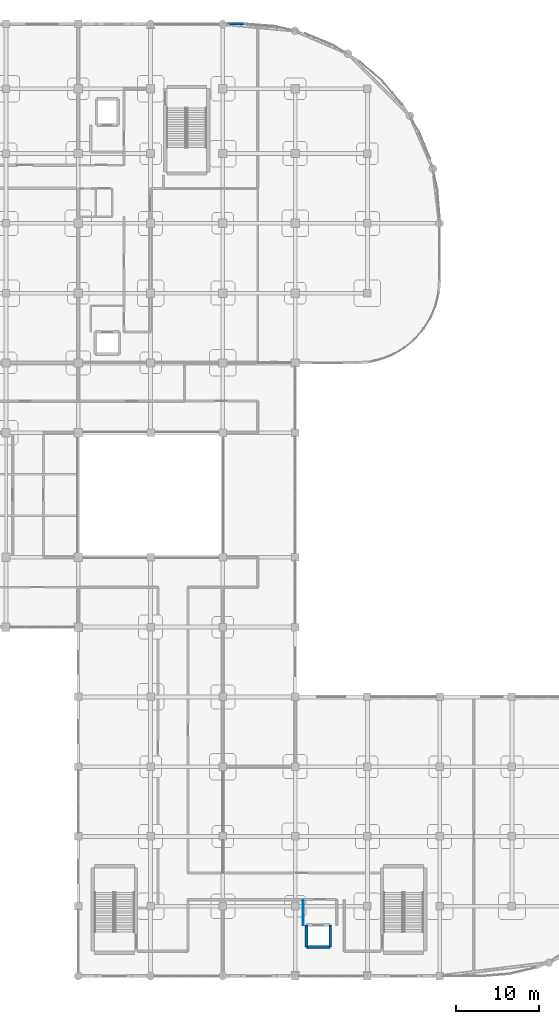
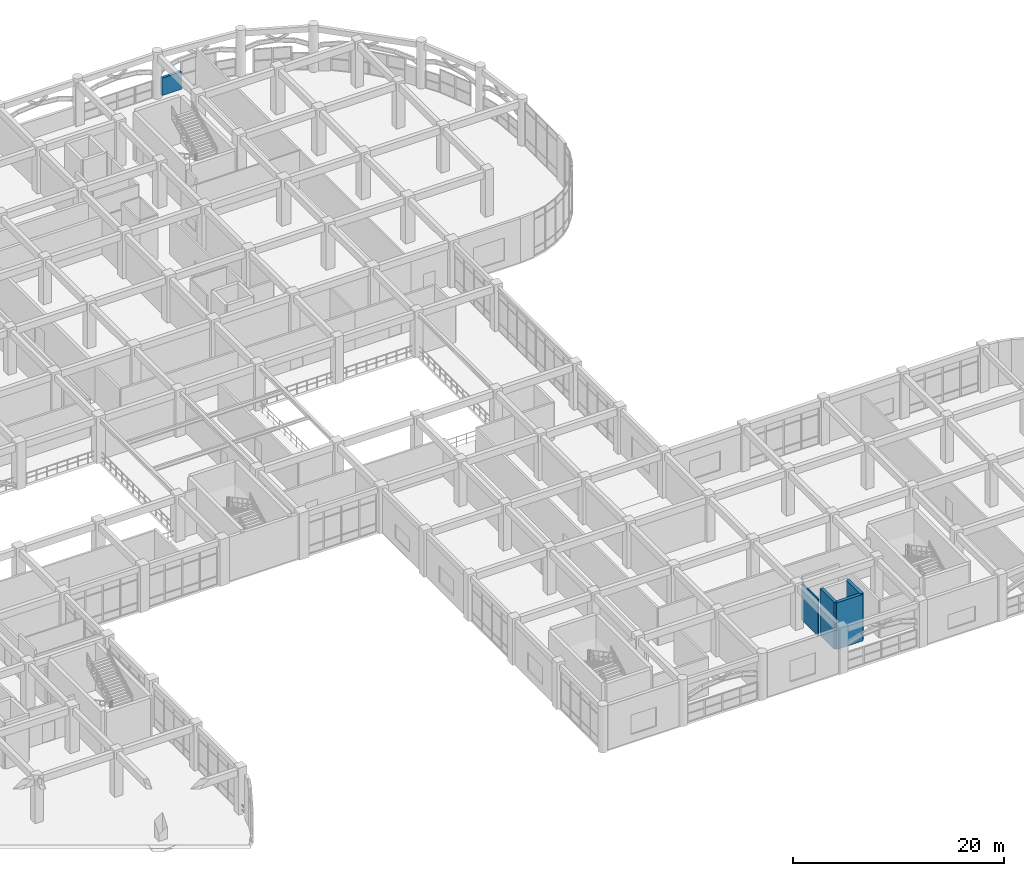
# One storey, part 99 of 114: 5 walls.
"""IFC4 building model written with IfcOpenShell, lengths in metres."""

from ifc_helpers import new_model, si_unit, derived_unit, direction, frame, frame_2d, origin, place, context, subcontext, project, spatial, rectangle, extrude, material, layer, layer_set, type_object, element, save


model = new_model("IFC4")

# Units and contexts
model_context = context("Model", 3, precision=1e-05, world=origin(), true_north=direction((0.0, 1.0)))
body_context = subcontext(model_context, "Body", "Model", "MODEL_VIEW")
ifc_project = project(units=[si_unit("LENGTHUNIT", "METRE"), si_unit("AREAUNIT", "SQUARE_METRE"), si_unit("VOLUMEUNIT", "CUBIC_METRE"), si_unit("PLANEANGLEUNIT", "RADIAN"), si_unit("MASSUNIT", "GRAM", prefix="KILO"), derived_unit("THERMALTRANSMITTANCEUNIT", [(si_unit("MASSUNIT", "GRAM", prefix="KILO"), 1), (si_unit("TIMEUNIT", "SECOND"), -3), (si_unit("THERMODYNAMICTEMPERATUREUNIT", "KELVIN"), -1)])], contexts=[model_context])

# Site, building, storey
site_placement = place(None, origin())
site = spatial("IfcSite", under=ifc_project, at=site_placement, CompositionType="ELEMENT")
building_placement = place(site_placement, origin())
building = spatial("IfcBuilding", under=site, at=building_placement, Name="Qinzheling Arcade Emporium", CompositionType="ELEMENT")
storey_placement = place(building_placement, frame((0.0, 0.0, 6.0)))
storey = spatial("IfcBuildingStorey", under=building, at=storey_placement, Name="L02", CompositionType="ELEMENT", Elevation=6.0)

# Walls
ifc_material_1 = material(Name="Buff glazed terracotta insulated wall", Category="masonry")
ifc_layer_1 = layer(ifc_material_1, 0.2900390625, Name="Buff glazed terracotta insulated wall", Category="masonry")
ifc_layer_set_1 = layer_set([ifc_layer_1], Name="Buff glazed terracotta insulated wall")
wall_type_1 = type_object("IfcWallType", Name="Office Bar Terracotta Wall 290", PredefinedType="STANDARD", material=ifc_layer_set_1)
wall_1_placement = place(storey_placement, frame((122.277099609375, 114.60009765625, 0.0), z_axis=(0.0, 0.0, 1.0), x_axis=(1.0, 0.0, 0.0)))
element("IfcWall", 1, at=wall_1_placement, inside=storey, type_object=wall_type_1, Name="Exterior Wall WL-L02-EW-0130", PredefinedType="STANDARD", context=body_context, shape_type="SweptSolid", body=[
    extrude(rectangle(XDim=2.122802734375, YDim=0.2900390625, at=frame_2d((1.0615234375, 0.0))), origin(), (0.0, 0.0, 1.0), 2.02490234375),
])
ifc_material_2 = material(Name="Concrete C40", Category="concrete")
ifc_layer_2 = layer(ifc_material_2, 0.35009765625, Name="Concrete C40", Category="concrete")
ifc_layer_set_2 = layer_set([ifc_layer_2], Name="Concrete C40")
wall_type_2 = type_object("IfcWallType", Name="RC Lift Shaft Shear Wall 350 C40", PredefinedType="SHEAR", material=ifc_layer_set_2)
wall_2_placement = place(storey_placement, frame((134.72509765625, 3.47509765625, 0.0), z_axis=(0.0, 0.0, 1.0), x_axis=(-1.0, 0.0, 0.0)))
element("IfcWall", 2, at=wall_2_placement, inside=storey, type_object=wall_type_2, Name="Lift Shaft Wall WL-L02-LFT-LP05-S", PredefinedType="SHEAR", context=body_context, shape_type="SweptSolid", body=[
    extrude(rectangle(XDim=2.85009765625, YDim=0.35009765625, at=frame_2d((1.425048828125, 0.0))), origin(), (0.0, 0.0, 1.0), 5.39990234375),
])
for number, where, z_axis, x_axis, name in (
    (3, (131.875, 3.47509765625, 0.0), (0.0, 0.0, 1.0), (0.0, 1.0, 0.0), "Lift Shaft Wall WL-L02-LFT-LP05-W"),
    (4, (134.72509765625, 6.125, 0.0), (0.0, 0.0, 1.0), (0.0, -1.0, 0.0), "Lift Shaft Wall WL-L02-LFT-LP05-E"),
):
    element("IfcWall", number, at=place(storey_placement, frame(where, z_axis=z_axis, x_axis=x_axis)), inside=storey, type_object=wall_type_2, Name=name, PredefinedType="SHEAR", context=body_context, shape_type="SweptSolid", body=[
        extrude(rectangle(XDim=2.64990234375, YDim=0.35009765625, at=frame_2d((1.324951171875, 0.0))), origin(), (0.0, 0.0, 1.0), 5.39990234375),
    ])
ifc_material_3 = material(Name="Galvanised steel-stud stockroom partition", Category="steel")
ifc_layer_3 = layer(ifc_material_3, 0.114990234375, Name="Galvanised steel-stud stockroom partition", Category="steel")
ifc_layer_set_3 = layer_set([ifc_layer_3], Name="Galvanised steel-stud stockroom partition")
wall_type_3 = type_object("IfcWallType", Name="Storage Cage Partition Wall 115", PredefinedType="PARTITIONING", material=ifc_layer_set_3)
wall_3_placement = place(storey_placement, frame((131.5, 6.1298828125, 0.0), z_axis=(0.0, 0.0, 1.0), x_axis=(0.0, 1.0, 0.0)))
element("IfcWall", 5, at=wall_3_placement, inside=storey, type_object=wall_type_3, Name="Interior Wall WL-L02-INT-0287", PredefinedType="PARTITIONING", context=body_context, shape_type="SweptSolid", body=[
    extrude(rectangle(XDim=3.070068359375, YDim=0.114990234375, at=frame_2d((1.53515625, 0.0))), origin(), (0.0, 0.0, 1.0), 4.294921875),
])

save(model, "model.ifc")
